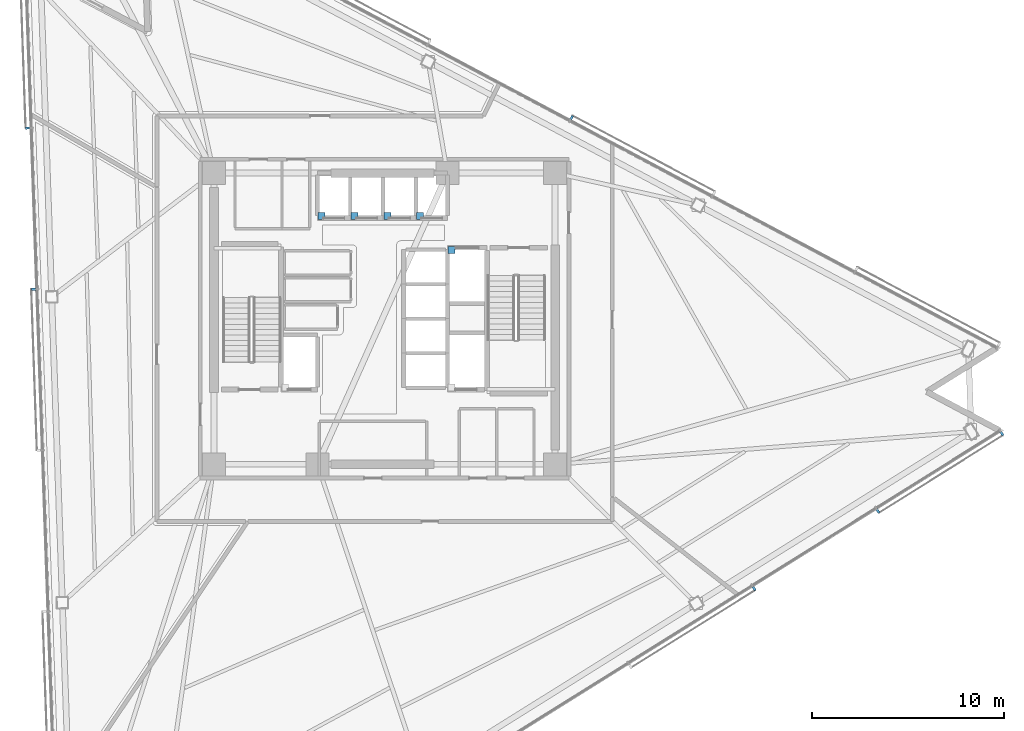
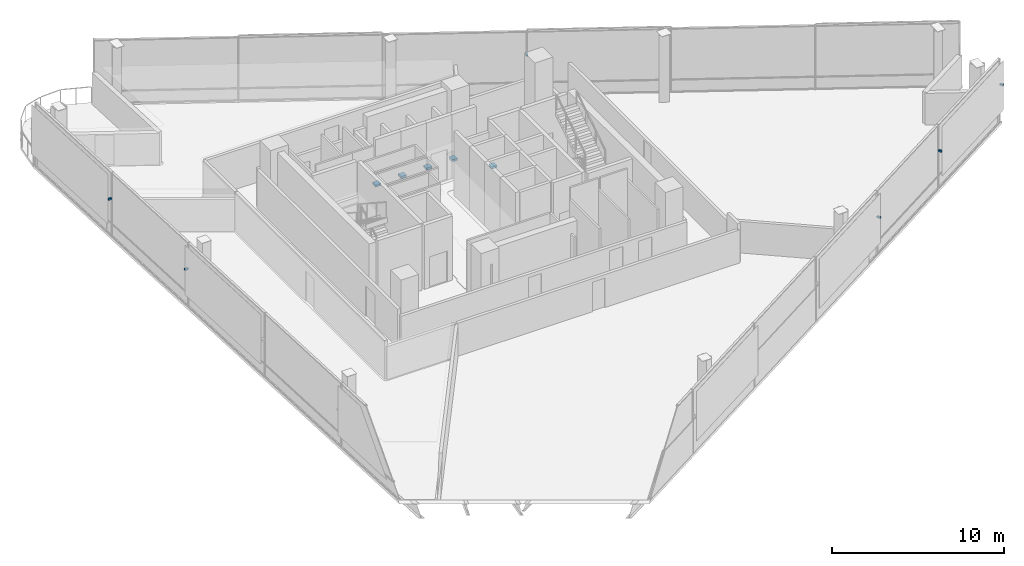
# One storey, part 15 of 19: 11 discrete accessories.
"""IFC4 building model written with IfcOpenShell, lengths in metres."""

from ifc_helpers import new_model, si_unit, direction, frame, origin, origin_2d, place, context, subcontext, project, spatial, rectangle, extrude, material, type_object, element, save


model = new_model("IFC4")

# Units and contexts
model_context = context("Model", 3, precision=1e-05, world=origin(), true_north=direction((0.0, 1.0)))
body_context = subcontext(model_context, "Body", "Model", "MODEL_VIEW")
ifc_project = project(units=[si_unit("LENGTHUNIT", "METRE"), si_unit("AREAUNIT", "SQUARE_METRE"), si_unit("VOLUMEUNIT", "CUBIC_METRE"), si_unit("PLANEANGLEUNIT", "RADIAN"), si_unit("MASSUNIT", "GRAM", prefix="KILO")], contexts=[model_context])

# Site, building, storey
site_placement = place(None, origin())
site = spatial("IfcSite", under=ifc_project, at=site_placement, CompositionType="ELEMENT")
building_placement = place(site_placement, origin())
building = spatial("IfcBuilding", under=site, at=building_placement, Name="Tharavind Bronze Gate", CompositionType="ELEMENT")
storey_placement = place(building_placement, frame((0.0, 0.0, 160.39990234375)))
storey = spatial("IfcBuildingStorey", under=building, at=storey_placement, Name="L41", CompositionType="ELEMENT", Elevation=160.39990234375)

# Discrete accessories
ifc_material_1 = material(Name="Galvanised Steel S355", Category="steel")
discrete_accessory_type_1 = type_object("IfcDiscreteAccessoryType", Name="LIFT GUIDE RAIL BRACKET", PredefinedType="BRACKET", material=ifc_material_1)
for number, where, z_axis, x_axis, name in (
    (1, (-3.280029296875, 5.3701171875, 1.1201171875), (0.0, 0.0, 1.0), (1.0, 0.0, 0.0), "Lift PL5 guide rail bracket at L41"),
    (2, (-1.5673828125, 5.3701171875, 1.1201171875), (0.0, 0.0, 1.0), (1.0, 0.0, 0.0), "Lift PL6 guide rail bracket at L41"),
    (3, (0.14501953125, 5.3701171875, 1.1201171875), (0.0, 0.0, 1.0), (1.0, 0.0, 0.0), "Lift PL7 guide rail bracket at L41"),
    (4, (1.857421875, 5.3701171875, 1.1201171875), (0.0, 0.0, 1.0), (1.0, 0.0, 0.0), "Lift PL8 guide rail bracket at L41"),
    (5, (3.5, 3.580078125, 1.1201171875), (0.0, 0.0, 1.0), (1.0, 0.0, 0.0), "Lift FFL2 guide rail bracket at L41"),
):
    element("IfcDiscreteAccessory", number, at=place(storey_placement, frame(where, z_axis=z_axis, x_axis=x_axis)), inside=storey, type_object=discrete_accessory_type_1, Name=name, PredefinedType="BRACKET", context=body_context, shape_type="SweptSolid", body=[
        extrude(rectangle(XDim=0.360107421875, YDim=0.360107421875, at=origin_2d()), origin(), (0.0, 0.0, 1.0), 0.159912109375),
    ])
ifc_material_2 = material(Name="Stainless Steel 316", Category="steel")
discrete_accessory_type_2 = type_object("IfcDiscreteAccessoryType", Name="SOLAR SCREEN STANDOFF BRACKET", PredefinedType="BRACKET", material=ifc_material_2)
for number, where, z_axis, x_axis, name in (
    (6, (-18.60595703125, 9.94873046875, 2.66748046875), (0.0, 0.0, 1.0), (0.034899496703, -0.999390827019, 0.0), "CW-L41-S1 solar screen bracket 1.2"),
    (7, (-18.3125, 1.539306640625, 2.66748046875), (0.0, 0.0, 1.0), (0.034899496703, -0.999390827019, 0.0), "CW-L41-S1 solar screen bracket 3.1"),
    (8, (19.279052734375, -14.07275390625, 2.66748046875), (0.0, 0.0, 1.0), (0.848048096156, 0.529919264233, 0.0), "CW-L41-S2 solar screen bracket 5.2"),
    (9, (25.744384765625, -10.03271484375, 2.66748046875), (0.0, 0.0, 1.0), (0.848048096156, 0.529919264233, 0.0), "CW-L41-S2 solar screen bracket 7.1"),
    (10, (32.2099609375, -5.992431640625, 2.66748046875), (0.0, 0.0, 1.0), (0.848048096156, 0.529919264233, 0.0), "CW-L41-S2 solar screen bracket 7.2"),
    (11, (9.759521484375, 10.487548828125, 2.66748046875), (0.0, 0.0, 1.0), (-0.882947592859, 0.469471562786, 0.0), "CW-L41-S3 solar screen bracket 3.2"),
):
    element("IfcDiscreteAccessory", number, at=place(storey_placement, frame(where, z_axis=z_axis, x_axis=x_axis)), inside=storey, type_object=discrete_accessory_type_2, Name=name, PredefinedType="BRACKET", context=body_context, shape_type="SweptSolid", body=[
        extrude(rectangle(XDim=0.1201171875, YDim=0.239990234375, at=origin_2d()), origin(), (0.0, 0.0, 1.0), 0.1201171875),
    ])

save(model, "model.ifc")
